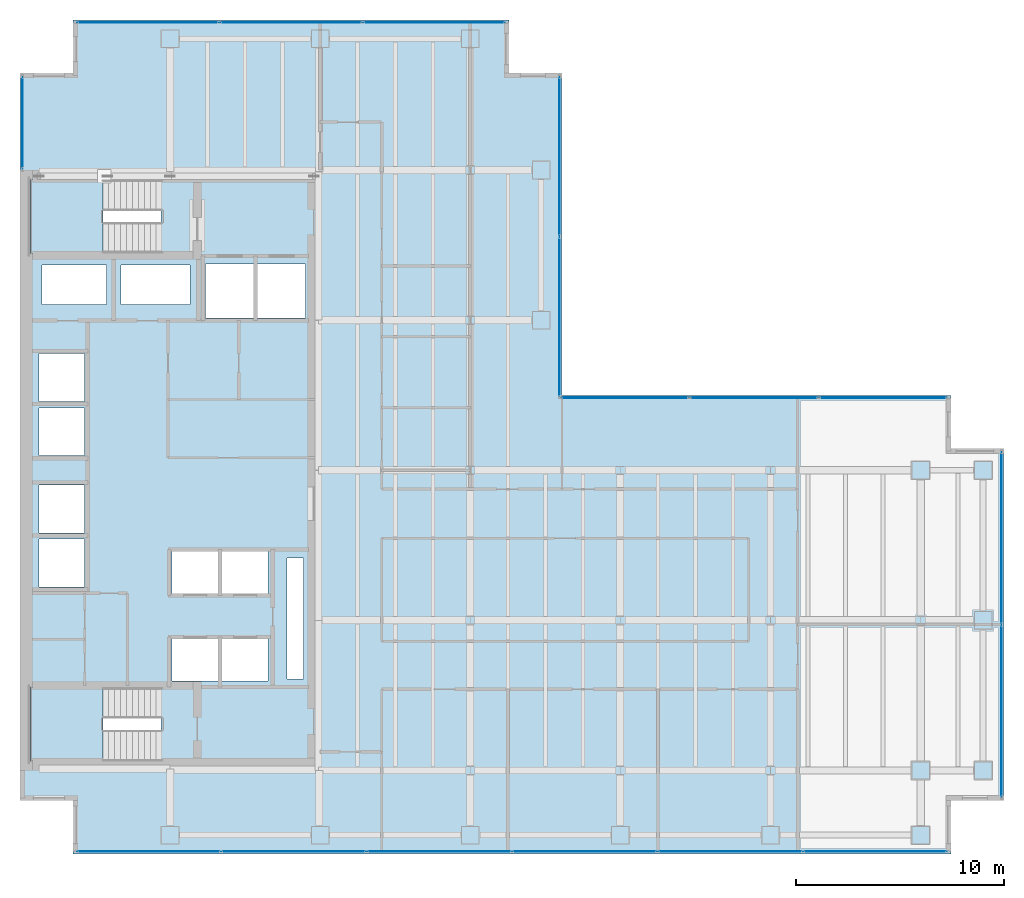
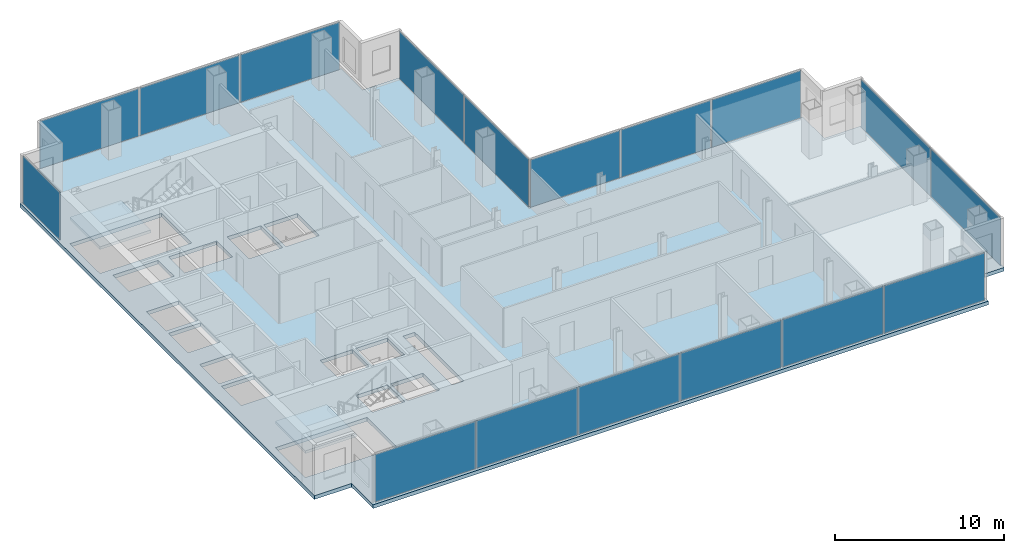
# One storey, part 19 of 23: 17 plates, 3 slabs, 15 openings, 8 elements without a shape of their own.
"""IFC4 building model written with IfcOpenShell, lengths in metres."""

from ifc_helpers import new_model, si_unit, direction, frame, origin, origin_2d, place, context, subcontext, project, spatial, polyline, rectangle, outline, extrude, material, layer, layer_set, type_object, element, aggregate, save


model = new_model("IFC4")

# Units and contexts
model_context = context("Model", 3, precision=1e-05, world=origin(), true_north=direction((0.0, 1.0)))
body_context = subcontext(model_context, "Body", "Model", "MODEL_VIEW")
ifc_project = project(units=[si_unit("LENGTHUNIT", "METRE"), si_unit("AREAUNIT", "SQUARE_METRE"), si_unit("VOLUMEUNIT", "CUBIC_METRE"), si_unit("PLANEANGLEUNIT", "RADIAN"), si_unit("MASSUNIT", "GRAM", prefix="KILO")], contexts=[model_context])

# Site, building, storey
site_placement = place(None, origin())
site = spatial("IfcSite", under=ifc_project, at=site_placement, CompositionType="ELEMENT")
building_placement = place(site_placement, origin())
building = spatial("IfcBuilding", under=site, at=building_placement, Name="Cobrela Telecom Tower", CompositionType="ELEMENT")
storey_placement = place(building_placement, frame((0.0, 0.0, 129.14990234375)))
storey = spatial("IfcBuildingStorey", under=building, at=storey_placement, Name="L32", CompositionType="ELEMENT", Elevation=129.14990234375)

# Curtain wall, plate
ifc_material_1 = material(Name="Anodized Bronze Aluminium 6063-T6", Category="aluminium")
curtain_wall_type = type_object("IfcCurtainWallType", Name="CW-SYS-TEL", PredefinedType="USERDEFINED", material=ifc_material_1)
curtain_wall_1_placement = place(storey_placement, origin())
curtain_wall_1 = element("IfcCurtainWall", 1, at=curtain_wall_1_placement, inside=storey, type_object=curtain_wall_type, Name="L32 Unitised Bronze Curtain Wall 04", ObjectType="UNITISED CURTAIN WALL", PredefinedType="USERDEFINED")
ifc_material_2 = material(Name="Solar-Control Bronze Low-E Glass", Category="glass")
ifc_layer_1 = layer(ifc_material_2, 0.035888671875)
ifc_layer_set_1 = layer_set([ifc_layer_1], Name="Solar-Control Bronze Low-E Glass")
plate_type = type_object("IfcPlateType", Name="CW-SYS-TEL-PNL", PredefinedType="CURTAIN_PANEL", material=ifc_layer_set_1)
plate_1_placement = place(storey_placement, frame((0.1201171875, 38.264892578125, 0.070068359375), z_axis=(0.0, 0.0, 1.0), x_axis=(0.0, 1.0, 0.0)))
plate_1 = element("IfcPlate", 2, at=plate_1_placement, type_object=plate_type, Name="CW-TEL panel 1.1", PredefinedType="CURTAIN_PANEL", context=body_context, shape_type="SweptSolid", body=[
    extrude(rectangle(XDim=4.3798828125, YDim=0.035888671875, at=origin_2d()), origin(), (0.0, 0.0, 1.0), 3.43994140625),
])
aggregate(curtain_wall_1, [plate_1])

# Curtain wall, plates
curtain_wall_2_placement = place(storey_placement, origin())
curtain_wall_2 = element("IfcCurtainWall", 3, at=curtain_wall_2_placement, inside=storey, type_object=curtain_wall_type, Name="L32 Unitised Bronze Curtain Wall 07", ObjectType="UNITISED CURTAIN WALL", PredefinedType="USERDEFINED")
plate_2_placement = place(storey_placement, frame((6.132080078125, 43.080078125, 0.070068359375), z_axis=(0.0, 0.0, 1.0), x_axis=(1.0, 0.0, 0.0)))
plate_2 = element("IfcPlate", 4, at=plate_2_placement, type_object=plate_type, Name="CW-TEL panel 1.1", PredefinedType="CURTAIN_PANEL", context=body_context, shape_type="SweptSolid", body=[
    extrude(rectangle(XDim=6.774169921875, YDim=0.035888671875, at=origin_2d()), origin(), (0.0, 0.0, 1.0), 3.43994140625),
])
plate_3_placement = place(storey_placement, frame((13.0, 43.080078125, 0.070068359375), z_axis=(0.0, 0.0, 1.0), x_axis=(1.0, 0.0, 0.0)))
plate_3 = element("IfcPlate", 5, at=plate_3_placement, type_object=plate_type, Name="CW-TEL panel 2.1", PredefinedType="CURTAIN_PANEL", context=body_context, shape_type="SweptSolid", body=[
    extrude(rectangle(XDim=6.811767578125, YDim=0.035888671875, at=origin_2d()), origin(), (0.0, 0.0, 1.0), 3.43994140625),
])
plate_4_placement = place(storey_placement, frame((19.867919921875, 43.080078125, 0.070068359375), z_axis=(0.0, 0.0, 1.0), x_axis=(1.0, 0.0, 0.0)))
plate_4 = element("IfcPlate", 6, at=plate_4_placement, type_object=plate_type, Name="CW-TEL panel 3.1", PredefinedType="CURTAIN_PANEL", context=body_context, shape_type="SweptSolid", body=[
    extrude(rectangle(XDim=6.774169921875, YDim=0.035888671875, at=origin_2d()), origin(), (0.0, 0.0, 1.0), 3.43994140625),
])
aggregate(curtain_wall_2, [plate_2, plate_3, plate_4])

curtain_wall_3_placement = place(storey_placement, origin())
curtain_wall_3 = element("IfcCurtainWall", 7, at=curtain_wall_3_placement, inside=storey, type_object=curtain_wall_type, Name="L32 Unitised Bronze Curtain Wall 10", ObjectType="UNITISED CURTAIN WALL", PredefinedType="USERDEFINED")
plate_5_placement = place(storey_placement, frame((25.8798828125, 36.648681640625, 0.070068359375), z_axis=(0.0, 0.0, 1.0), x_axis=(0.0, -1.0, 0.0)))
plate_5 = element("IfcPlate", 8, at=plate_5_placement, type_object=plate_type, Name="CW-TEL panel 1.1", PredefinedType="CURTAIN_PANEL", context=body_context, shape_type="SweptSolid", body=[
    extrude(rectangle(XDim=7.612548828125, YDim=0.035888671875, at=origin_2d()), origin(), (0.0, 0.0, 1.0), 3.43994140625),
])
plate_6_placement = place(storey_placement, frame((25.8798828125, 28.961181640625, 0.070068359375), z_axis=(0.0, 0.0, 1.0), x_axis=(0.0, -1.0, 0.0)))
plate_6 = element("IfcPlate", 9, at=plate_6_placement, type_object=plate_type, Name="CW-TEL panel 2.1", PredefinedType="CURTAIN_PANEL", context=body_context, shape_type="SweptSolid", body=[
    extrude(rectangle(XDim=7.612548828125, YDim=0.035888671875, at=origin_2d()), origin(), (0.0, 0.0, 1.0), 3.43994140625),
])
aggregate(curtain_wall_3, [plate_5, plate_6])

curtain_wall_4_placement = place(storey_placement, origin())
curtain_wall_4 = element("IfcCurtainWall", 10, at=curtain_wall_4_placement, inside=storey, type_object=curtain_wall_type, Name="L32 Unitised Bronze Curtain Wall 11", ObjectType="UNITISED CURTAIN WALL", PredefinedType="USERDEFINED")
plate_7_placement = place(storey_placement, frame((29.007080078125, 25.080078125, 0.070068359375), z_axis=(0.0, 0.0, 1.0), x_axis=(1.0, 0.0, 0.0)))
plate_7 = element("IfcPlate", 11, at=plate_7_placement, type_object=plate_type, Name="CW-TEL panel 1.1", PredefinedType="CURTAIN_PANEL", context=body_context, shape_type="SweptSolid", body=[
    extrude(rectangle(XDim=6.104248046875, YDim=0.035888671875, at=origin_2d()), origin(), (0.0, 0.0, 1.0), 3.43994140625),
])
plate_8_placement = place(storey_placement, frame((35.205078125, 25.080078125, 0.070068359375), z_axis=(0.0, 0.0, 1.0), x_axis=(1.0, 0.0, 0.0)))
plate_8 = element("IfcPlate", 12, at=plate_8_placement, type_object=plate_type, Name="CW-TEL panel 2.1", PredefinedType="CURTAIN_PANEL", context=body_context, shape_type="SweptSolid", body=[
    extrude(rectangle(XDim=6.1416015625, YDim=0.035888671875, at=origin_2d()), origin(), (0.0, 0.0, 1.0), 3.43994140625),
])
plate_9_placement = place(storey_placement, frame((41.40283203125, 25.080078125, 0.070068359375), z_axis=(0.0, 0.0, 1.0), x_axis=(1.0, 0.0, 0.0)))
plate_9 = element("IfcPlate", 13, at=plate_9_placement, type_object=plate_type, Name="CW-TEL panel 3.1", PredefinedType="CURTAIN_PANEL", context=body_context, shape_type="SweptSolid", body=[
    extrude(rectangle(XDim=6.104248046875, YDim=0.035888671875, at=origin_2d()), origin(), (0.0, 0.0, 1.0), 3.43994140625),
])
aggregate(curtain_wall_4, [plate_7, plate_8, plate_9])

curtain_wall_5_placement = place(storey_placement, origin())
curtain_wall_5 = element("IfcCurtainWall", 14, at=curtain_wall_5_placement, inside=storey, type_object=curtain_wall_type, Name="L32 Unitised Bronze Curtain Wall 14", ObjectType="UNITISED CURTAIN WALL", PredefinedType="USERDEFINED")
plate_10_placement = place(storey_placement, frame((47.080078125, 18.34619140625, 0.070068359375), z_axis=(0.0, 0.0, 1.0), x_axis=(0.0, -1.0, 0.0)))
plate_10 = element("IfcPlate", 15, at=plate_10_placement, type_object=plate_type, Name="CW-TEL panel 1.1", PredefinedType="CURTAIN_PANEL", context=body_context, shape_type="SweptSolid", body=[
    extrude(rectangle(XDim=8.217529296875, YDim=0.035888671875, at=origin_2d()), origin(), (0.0, 0.0, 1.0), 3.43994140625),
])
plate_11_placement = place(storey_placement, frame((47.080078125, 10.0537109375, 0.070068359375), z_axis=(0.0, 0.0, 1.0), x_axis=(0.0, -1.0, 0.0)))
plate_11 = element("IfcPlate", 16, at=plate_11_placement, type_object=plate_type, Name="CW-TEL panel 2.1", PredefinedType="CURTAIN_PANEL", context=body_context, shape_type="SweptSolid", body=[
    extrude(rectangle(XDim=8.217529296875, YDim=0.035888671875, at=origin_2d()), origin(), (0.0, 0.0, 1.0), 3.43994140625),
])
aggregate(curtain_wall_5, [plate_10, plate_11])

curtain_wall_6_placement = place(storey_placement, origin())
curtain_wall_6 = element("IfcCurtainWall", 17, at=curtain_wall_6_placement, inside=storey, type_object=curtain_wall_type, Name="L32 Unitised Bronze Curtain Wall 17", ObjectType="UNITISED CURTAIN WALL", PredefinedType="USERDEFINED")
plate_12_placement = place(storey_placement, frame((41.02294921875, 3.320068359375, 0.070068359375), z_axis=(0.0, 0.0, 1.0), x_axis=(-1.0, 0.0, 0.0)))
plate_12 = element("IfcPlate", 18, at=plate_12_placement, type_object=plate_type, Name="CW-TEL panel 1.1", PredefinedType="CURTAIN_PANEL", context=body_context, shape_type="SweptSolid", body=[
    extrude(rectangle(XDim=6.8642578125, YDim=0.035888671875, at=origin_2d()), origin(), (0.0, 0.0, 1.0), 3.43994140625),
])
plate_13_placement = place(storey_placement, frame((34.06494140625, 3.320068359375, 0.070068359375), z_axis=(0.0, 0.0, 1.0), x_axis=(-1.0, 0.0, 0.0)))
plate_13 = element("IfcPlate", 19, at=plate_13_placement, type_object=plate_type, Name="CW-TEL panel 2.1", PredefinedType="CURTAIN_PANEL", context=body_context, shape_type="SweptSolid", body=[
    extrude(rectangle(XDim=6.901611328125, YDim=0.035888671875, at=origin_2d()), origin(), (0.0, 0.0, 1.0), 3.43994140625),
])
plate_14_placement = place(storey_placement, frame((27.08837890625, 3.320068359375, 0.070068359375), z_axis=(0.0, 0.0, 1.0), x_axis=(-1.0, 0.0, 0.0)))
plate_14 = element("IfcPlate", 20, at=plate_14_placement, type_object=plate_type, Name="CW-TEL panel 3.1", PredefinedType="CURTAIN_PANEL", context=body_context, shape_type="SweptSolid", body=[
    extrude(rectangle(XDim=6.901611328125, YDim=0.035888671875, at=origin_2d()), origin(), (0.0, 0.0, 1.0), 3.43994140625),
])
plate_15_placement = place(storey_placement, frame((20.111572265625, 3.320068359375, 0.070068359375), z_axis=(0.0, 0.0, 1.0), x_axis=(-1.0, 0.0, 0.0)))
plate_15 = element("IfcPlate", 21, at=plate_15_placement, type_object=plate_type, Name="CW-TEL panel 4.1", PredefinedType="CURTAIN_PANEL", context=body_context, shape_type="SweptSolid", body=[
    extrude(rectangle(XDim=6.901611328125, YDim=0.035888671875, at=origin_2d()), origin(), (0.0, 0.0, 1.0), 3.43994140625),
])
plate_16_placement = place(storey_placement, frame((13.135009765625, 3.320068359375, 0.070068359375), z_axis=(0.0, 0.0, 1.0), x_axis=(-1.0, 0.0, 0.0)))
plate_16 = element("IfcPlate", 22, at=plate_16_placement, type_object=plate_type, Name="CW-TEL panel 5.1", PredefinedType="CURTAIN_PANEL", context=body_context, shape_type="SweptSolid", body=[
    extrude(rectangle(XDim=6.901611328125, YDim=0.035888671875, at=origin_2d()), origin(), (0.0, 0.0, 1.0), 3.43994140625),
])
plate_17_placement = place(storey_placement, frame((6.177001953125, 3.320068359375, 0.070068359375), z_axis=(0.0, 0.0, 1.0), x_axis=(-1.0, 0.0, 0.0)))
plate_17 = element("IfcPlate", 23, at=plate_17_placement, type_object=plate_type, Name="CW-TEL panel 6.1", PredefinedType="CURTAIN_PANEL", context=body_context, shape_type="SweptSolid", body=[
    extrude(rectangle(XDim=6.8642578125, YDim=0.035888671875, at=origin_2d()), origin(), (0.0, 0.0, 1.0), 3.43994140625),
])
aggregate(curtain_wall_6, [plate_12, plate_13, plate_14, plate_15, plate_16, plate_17])

# Slab, openings
ifc_material_3 = material(Name="Concrete C40/50", Category="concrete")
ifc_layer_2 = layer(ifc_material_3, 0.27001953125)
ifc_layer_set_2 = layer_set([ifc_layer_2], Name="Concrete C40/50")
slab_type_1 = type_object("IfcSlabType", Name="SLAB-FLR-270", PredefinedType="FLOOR", material=ifc_layer_set_2)
slab_1_placement = place(storey_placement, frame((0.0, 0.0, -0.27001953125)))
slab_1 = element("IfcSlab", 24, at=slab_1_placement, inside=storey, type_object=slab_type_1, Name="L32 Structural Floor Slab", PredefinedType="FLOOR", context=body_context, shape_type="SweptSolid", body=[
    extrude(outline(polyline([(2.550048828125, 3.199951171875), (44.64990234375, 3.199951171875), (44.64990234375, 5.75), (47.199951171875, 5.75), (47.199951171875, 22.64990234375), (44.64990234375, 22.64990234375), (44.64990234375, 25.199951171875), (26.0, 25.199951171875), (26.0, 40.64990234375), (23.449951171875, 40.64990234375), (23.449951171875, 43.199951171875), (2.550048828125, 43.199951171875), (2.550048828125, 40.64990234375), (0.0, 40.64990234375), (0.0, 5.75), (2.550048828125, 5.75), (2.550048828125, 3.199951171875)])), origin(), (0.0, 0.0, 1.0), 0.27001953125),
])
opening_1_placement = place(slab_1_placement, frame((0.0, 0.0, -0.02001953125)))
element("IfcOpeningElement", 25, at=opening_1_placement, cuts=slab_1, Name="Slab Shaft Opening SLAB-L32-MAIN.1", PredefinedType="OPENING", context=body_context, shape_type="SweptSolid", body=[
    extrude(outline(polyline([(8.89990234375, 28.89990234375), (11.199951171875, 28.89990234375), (11.199951171875, 31.5), (8.89990234375, 31.5), (8.89990234375, 28.89990234375)])), origin(), (0.0, 0.0, 1.0), 0.31005859375),
])
opening_2_placement = place(slab_1_placement, frame((0.0, 0.0, -0.02001953125)))
element("IfcOpeningElement", 26, at=opening_2_placement, cuts=slab_1, Name="Slab Shaft Opening SLAB-L32-MAIN.2", PredefinedType="OPENING", context=body_context, shape_type="SweptSolid", body=[
    extrude(outline(polyline([(11.39990234375, 28.89990234375), (13.699951171875, 28.89990234375), (13.699951171875, 31.5), (11.39990234375, 31.5), (11.39990234375, 28.89990234375)])), origin(), (0.0, 0.0, 1.0), 0.31005859375),
])
opening_3_placement = place(slab_1_placement, frame((0.0, 0.0, -0.02001953125)))
element("IfcOpeningElement", 27, at=opening_3_placement, cuts=slab_1, Name="Slab Shaft Opening SLAB-L32-MAIN.3", PredefinedType="OPENING", context=body_context, shape_type="SweptSolid", body=[
    extrude(outline(polyline([(7.300048828125, 15.699951171875), (9.5, 15.699951171875), (9.5, 17.699951171875), (7.300048828125, 17.699951171875), (7.300048828125, 15.699951171875)])), origin(), (0.0, 0.0, 1.0), 0.31005859375),
])
opening_4_placement = place(slab_1_placement, frame((0.0, 0.0, -0.02001953125)))
element("IfcOpeningElement", 28, at=opening_4_placement, cuts=slab_1, Name="Slab Shaft Opening SLAB-L32-MAIN.4", PredefinedType="OPENING", context=body_context, shape_type="SweptSolid", body=[
    extrude(outline(polyline([(9.699951171875, 15.699951171875), (11.89990234375, 15.699951171875), (11.89990234375, 17.699951171875), (9.699951171875, 17.699951171875), (9.699951171875, 15.699951171875)])), origin(), (0.0, 0.0, 1.0), 0.31005859375),
])
opening_5_placement = place(slab_1_placement, frame((0.0, 0.0, -0.02001953125)))
element("IfcOpeningElement", 29, at=opening_5_placement, cuts=slab_1, Name="Slab Shaft Opening SLAB-L32-MAIN.5", PredefinedType="OPENING", context=body_context, shape_type="SweptSolid", body=[
    extrude(outline(polyline([(7.300048828125, 11.5), (9.5, 11.5), (9.5, 13.5), (7.300048828125, 13.5), (7.300048828125, 11.5)])), origin(), (0.0, 0.0, 1.0), 0.31005859375),
])
opening_6_placement = place(slab_1_placement, frame((0.0, 0.0, -0.02001953125)))
element("IfcOpeningElement", 30, at=opening_6_placement, cuts=slab_1, Name="Slab Shaft Opening SLAB-L32-MAIN.6", PredefinedType="OPENING", context=body_context, shape_type="SweptSolid", body=[
    extrude(outline(polyline([(9.699951171875, 11.5), (11.89990234375, 11.5), (11.89990234375, 13.5), (9.699951171875, 13.5), (9.699951171875, 11.5)])), origin(), (0.0, 0.0, 1.0), 0.31005859375),
])
opening_7_placement = place(slab_1_placement, frame((0.0, 0.0, -0.02001953125)))
element("IfcOpeningElement", 31, at=opening_7_placement, cuts=slab_1, Name="Slab Shaft Opening SLAB-L32-MAIN.7", PredefinedType="OPENING", context=body_context, shape_type="SweptSolid", body=[
    extrude(outline(polyline([(0.89990234375, 16.0), (3.10009765625, 16.0), (3.10009765625, 18.300048828125), (0.89990234375, 18.300048828125), (0.89990234375, 16.0)])), origin(), (0.0, 0.0, 1.0), 0.31005859375),
])
opening_8_placement = place(slab_1_placement, frame((0.0, 0.0, -0.02001953125)))
element("IfcOpeningElement", 32, at=opening_8_placement, cuts=slab_1, Name="Slab Shaft Opening SLAB-L32-MAIN.8", PredefinedType="OPENING", context=body_context, shape_type="SweptSolid", body=[
    extrude(outline(polyline([(0.89990234375, 18.60009765625), (3.10009765625, 18.60009765625), (3.10009765625, 20.89990234375), (0.89990234375, 20.89990234375), (0.89990234375, 18.60009765625)])), origin(), (0.0, 0.0, 1.0), 0.31005859375),
])
opening_9_placement = place(slab_1_placement, frame((0.0, 0.0, -0.02001953125)))
element("IfcOpeningElement", 33, at=opening_9_placement, cuts=slab_1, Name="Slab Shaft Opening SLAB-L32-MAIN.9", PredefinedType="OPENING", context=body_context, shape_type="SweptSolid", body=[
    extrude(outline(polyline([(0.89990234375, 22.300048828125), (3.10009765625, 22.300048828125), (3.10009765625, 24.60009765625), (0.89990234375, 24.60009765625), (0.89990234375, 22.300048828125)])), origin(), (0.0, 0.0, 1.0), 0.31005859375),
])
opening_10_placement = place(slab_1_placement, frame((0.0, 0.0, -0.02001953125)))
element("IfcOpeningElement", 34, at=opening_10_placement, cuts=slab_1, Name="Slab Shaft Opening SLAB-L32-MAIN.10", PredefinedType="OPENING", context=body_context, shape_type="SweptSolid", body=[
    extrude(outline(polyline([(0.89990234375, 24.89990234375), (3.10009765625, 24.89990234375), (3.10009765625, 27.199951171875), (0.89990234375, 27.199951171875), (0.89990234375, 24.89990234375)])), origin(), (0.0, 0.0, 1.0), 0.31005859375),
])
opening_11_placement = place(slab_1_placement, frame((0.0, 0.0, -0.02001953125)))
element("IfcOpeningElement", 35, at=opening_11_placement, cuts=slab_1, Name="Slab Shaft Opening SLAB-L32-MAIN.11", PredefinedType="OPENING", context=body_context, shape_type="SweptSolid", body=[
    extrude(outline(polyline([(1.050048828125, 29.550048828125), (4.14990234375, 29.550048828125), (4.14990234375, 31.449951171875), (1.050048828125, 31.449951171875), (1.050048828125, 29.550048828125)])), origin(), (0.0, 0.0, 1.0), 0.31005859375),
])
opening_12_placement = place(slab_1_placement, frame((0.0, 0.0, -0.02001953125)))
element("IfcOpeningElement", 36, at=opening_12_placement, cuts=slab_1, Name="Slab Shaft Opening SLAB-L32-MAIN.12", PredefinedType="OPENING", context=body_context, shape_type="SweptSolid", body=[
    extrude(outline(polyline([(4.85009765625, 29.550048828125), (8.14990234375, 29.550048828125), (8.14990234375, 31.449951171875), (4.85009765625, 31.449951171875), (4.85009765625, 29.550048828125)])), origin(), (0.0, 0.0, 1.0), 0.31005859375),
])
opening_13_placement = place(slab_1_placement, frame((0.0, 0.0, -0.02001953125)))
element("IfcOpeningElement", 37, at=opening_13_placement, cuts=slab_1, Name="Slab Shaft Opening SLAB-L32-MAIN.13", PredefinedType="OPENING", context=body_context, shape_type="SweptSolid", body=[
    extrude(outline(polyline([(12.800048828125, 11.60009765625), (13.60009765625, 11.60009765625), (13.60009765625, 17.39990234375), (12.800048828125, 17.39990234375), (12.800048828125, 11.60009765625)])), origin(), (0.0, 0.0, 1.0), 0.31005859375),
])
opening_14_placement = place(slab_1_placement, frame((0.0, 0.0, -0.02001953125)))
element("IfcOpeningElement", 38, at=opening_14_placement, cuts=slab_1, Name="Slab Shaft Opening SLAB-L32-MAIN.14", PredefinedType="OPENING", context=body_context, shape_type="SweptSolid", body=[
    extrude(outline(polyline([(6.7548828125, 35.550048828125), (0.47998046875, 35.550048828125), (0.47998046875, 32.0), (6.7548828125, 32.0), (6.7548828125, 35.550048828125)])), origin(), (0.0, 0.0, 1.0), 0.31005859375),
])
opening_15_placement = place(slab_1_placement, frame((0.0, 0.0, -0.02001953125)))
element("IfcOpeningElement", 39, at=opening_15_placement, cuts=slab_1, Name="Slab Shaft Opening SLAB-L32-MAIN.15", PredefinedType="OPENING", context=body_context, shape_type="SweptSolid", body=[
    extrude(outline(polyline([(6.7548828125, 11.199951171875), (0.47998046875, 11.199951171875), (0.47998046875, 7.64990234375), (6.7548828125, 7.64990234375), (6.7548828125, 11.199951171875)])), origin(), (0.0, 0.0, 1.0), 0.31005859375),
])

# Stair, slab
stair_type = type_object("IfcStairType", Name="STAIR-CORE", PredefinedType="HALF_TURN_STAIR", material=ifc_material_3)
stair_1_placement = place(storey_placement, origin())
stair_1 = element("IfcStair", 40, at=stair_1_placement, inside=storey, type_object=stair_type, Name="L32 Smokeproof Exit Stair ST1", PredefinedType="HALF_TURN_STAIR")
ifc_layer_3 = layer(ifc_material_3, 0.199951171875)
ifc_layer_set_3 = layer_set([ifc_layer_3], Name="Concrete C40/50")
slab_type_2 = type_object("IfcSlabType", Name="SLAB-LAND-200", PredefinedType="LANDING", material=ifc_layer_set_3)
slab_2_placement = place(storey_placement, frame((0.0, 0.0, 1.72509765625)))
slab_2 = element("IfcSlab", 41, at=slab_2_placement, type_object=slab_type_2, Name="ST1 landing 1", PredefinedType="LANDING", context=body_context, shape_type="SweptSolid", body=[
    extrude(outline(polyline([(3.969970703125, 35.550048828125), (0.47998046875, 35.550048828125), (0.47998046875, 32.0), (3.969970703125, 32.0), (3.969970703125, 35.550048828125)])), origin(), (0.0, 0.0, 1.0), 0.199951171875),
])
aggregate(stair_1, [slab_2])

stair_2_placement = place(storey_placement, origin())
stair_2 = element("IfcStair", 42, at=stair_2_placement, inside=storey, type_object=stair_type, Name="L32 Smokeproof Exit Stair ST2", PredefinedType="HALF_TURN_STAIR")
slab_3_placement = place(storey_placement, frame((0.0, 0.0, 1.72509765625)))
slab_3 = element("IfcSlab", 43, at=slab_3_placement, type_object=slab_type_2, Name="ST2 landing 1", PredefinedType="LANDING", context=body_context, shape_type="SweptSolid", body=[
    extrude(outline(polyline([(3.969970703125, 11.199951171875), (0.47998046875, 11.199951171875), (0.47998046875, 7.64990234375), (3.969970703125, 7.64990234375), (3.969970703125, 11.199951171875)])), origin(), (0.0, 0.0, 1.0), 0.199951171875),
])
aggregate(stair_2, [slab_3])

save(model, "model.ifc")
